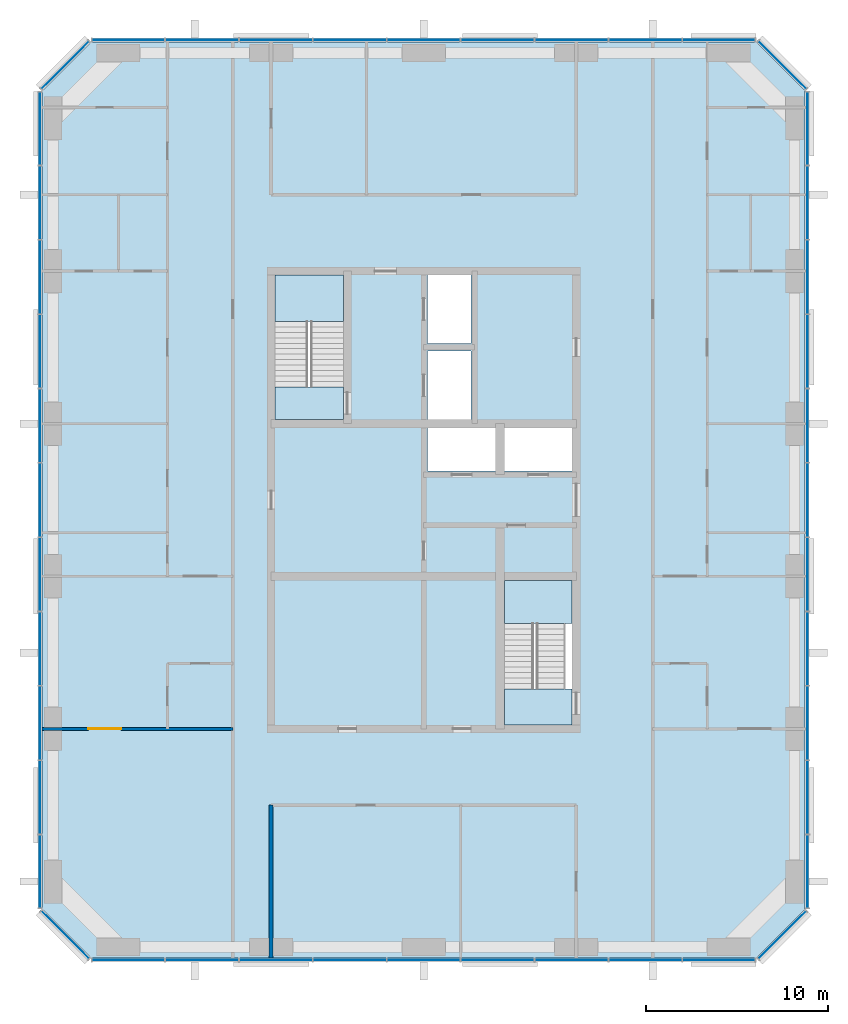
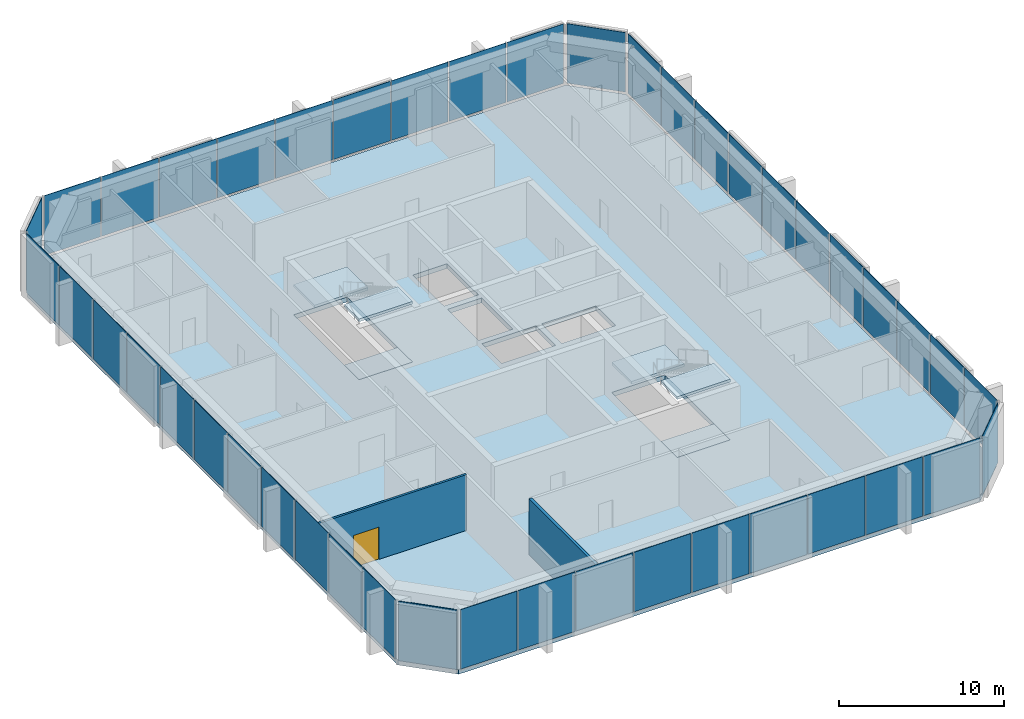
# One storey, part 6 of 10: 44 plates, 7 slabs, 2 walls, 1 door, 1 opening, 10 elements without a shape of their own.
"""IFC4 building model written with IfcOpenShell, lengths in metres."""

import ifcopenshell
import ifcopenshell.guid

model = None  # the IFC model being written
_history = None  # IfcOwnerHistory: only IFC2X3 demands one
_inside = {}  # id of a spatial element -> (the spatial element, [elements in it])
_under = {}  # id of a project, library or spatial element -> (it, [spatial elements below it])
_declared = {}  # id of a project -> (the project, [libraries it declares])
_typed = {}  # id of a type object -> (the type object, [elements of that type])
_made_of = {}  # id of a material, layer set ... -> (it, [elements and type objects made of it])


def new_model(schema):
    """Start an empty IFC model of exactly this schema.

    Asked for "IFC4X3", IfcOpenShell would pick the latest addendum, in which some entities
    have other attributes; the version numbers below select the first issue.
    IFC2X3 requires an IfcOwnerHistory on every rooted entity: one is made here for all.
    """
    global model, _history
    if schema == "IFC4X3":
        model = ifcopenshell.file(schema_version=(4, 3, 0, 0))
    else:
        model = ifcopenshell.file(schema=schema)
    _inside.clear()
    _under.clear()
    _declared.clear()
    _typed.clear()
    _made_of.clear()
    _history = None
    if model.schema == "IFC2X3":
        org = make("IfcOrganization", Name="unknown")
        user = make(
            "IfcPersonAndOrganization",
            ThePerson=make("IfcPerson", FamilyName="unknown"),
            TheOrganization=org,
        )
        app = make(
            "IfcApplication",
            ApplicationDeveloper=org,
            Version="unknown",
            ApplicationFullName="unknown",
            ApplicationIdentifier="unknown",
        )
        _history = make(
            "IfcOwnerHistory",
            OwningUser=user,
            OwningApplication=app,
            ChangeAction="ADDED",
            CreationDate=0,
        )
    return model


def make(cls, **values):
    """One entity of the class cls with the attributes given. An attribute that is None is left unset."""
    return model.create_entity(
        cls, **{name: value for name, value in values.items() if value is not None}
    )


def rooted(cls, **values):
    """An entity with a GlobalId (a new one), such as an element, a storey or a relation."""
    return make(cls, GlobalId=ifcopenshell.guid.new(), OwnerHistory=_history, **values)


def si_unit(unit_type, name, prefix=None):
    """IfcSIUnit, for example si_unit("LENGTHUNIT", "METRE", prefix="MILLI")."""
    return make("IfcSIUnit", UnitType=unit_type, Prefix=prefix, Name=name)


def assignment(units):
    """IfcUnitAssignment: the units of a project."""
    return None if units is None else make("IfcUnitAssignment", Units=units)


def point(xyz):
    """IfcCartesianPoint."""
    return None if xyz is None else make("IfcCartesianPoint", Coordinates=xyz)


def direction(xyz):
    """IfcDirection."""
    return None if xyz is None else make("IfcDirection", DirectionRatios=xyz)


def frame(location, z_axis=None, x_axis=None):
    """IfcAxis2Placement3D, a coordinate frame: its origin and axes. An axis left out is left unset."""
    return make(
        "IfcAxis2Placement3D",
        Location=point(location),
        Axis=direction(z_axis),
        RefDirection=direction(x_axis),
    )


def frame_2d(location, x_axis=None):
    """IfcAxis2Placement2D, a coordinate frame in the plane: its origin and x axis."""
    return make(
        "IfcAxis2Placement2D", Location=point(location), RefDirection=direction(x_axis)
    )


def origin():
    """The frame at (0, 0, 0) with its axes left unset."""
    return frame((0.0, 0.0, 0.0))


def origin_2d():
    """The frame at (0, 0) in the plane with its x axis left unset."""
    return frame_2d((0.0, 0.0))


def place(relative_to, where):
    """IfcLocalPlacement: puts the frame where relative to a parent placement (None: the world)."""
    return make(
        "IfcLocalPlacement", PlacementRelTo=relative_to, RelativePlacement=where
    )


def context(
    kind, dimensions, precision=None, world=None, true_north=None, identifier=None
):
    """IfcGeometricRepresentationContext, for example the 3D "Model" context."""
    return make(
        "IfcGeometricRepresentationContext",
        ContextIdentifier=identifier,
        ContextType=kind,
        CoordinateSpaceDimension=dimensions,
        Precision=precision,
        WorldCoordinateSystem=world,
        TrueNorth=true_north,
    )


def subcontext(parent, identifier, kind, view, scale=None):
    """IfcGeometricRepresentationSubContext, for example "Body" below "Model"."""
    return make(
        "IfcGeometricRepresentationSubContext",
        ContextIdentifier=identifier,
        ContextType=kind,
        ParentContext=parent,
        TargetScale=scale,
        TargetView=view,
    )


def project(units=None, contexts=None):
    """IfcProject with its units and contexts."""
    return rooted(
        "IfcProject",
        Name="project",
        RepresentationContexts=contexts,
        UnitsInContext=assignment(units),
    )


def spatial(cls, under=None, at=None, **own):
    """A site, building, storey or space (cls), placed at a placement, below another one or the project."""
    s = rooted(cls, ObjectPlacement=at, **own)
    if under is not None:
        _under.setdefault(under.id(), (under, []))[1].append(s)
    return s


def polyline(points):
    """IfcPolyline through the points."""
    return make("IfcPolyline", Points=[point(p) for p in points])


def profile(cls, at=None, kind="AREA", **sizes):
    """A parametric profile (cls). Its sizes go by their IFC names, for example OverallWidth=200.0."""
    return make(cls, ProfileType=kind, Position=at, **sizes)


def rectangle(**sizes):
    """IfcRectangleProfileDef."""
    return profile("IfcRectangleProfileDef", **sizes)


def outline(outer, holes=None, kind="AREA"):
    """IfcArbitraryClosedProfileDef: a profile drawn as a closed curve; with holes, ...WithVoids."""
    if holes is None:
        return make("IfcArbitraryClosedProfileDef", ProfileType=kind, OuterCurve=outer)
    return make(
        "IfcArbitraryProfileDefWithVoids",
        ProfileType=kind,
        OuterCurve=outer,
        InnerCurves=holes,
    )


def extrude(swept, where, along, depth):
    """IfcExtrudedAreaSolid: the profile swept, set in the frame where, extruded along a direction by depth."""
    return make(
        "IfcExtrudedAreaSolid",
        SweptArea=swept,
        Position=where,
        ExtrudedDirection=direction(along),
        Depth=depth,
    )


def shape(context_of_items, identifier, shape_type, items):
    """IfcShapeRepresentation: the items that make up one representation, for example the "Body"."""
    return make(
        "IfcShapeRepresentation",
        ContextOfItems=context_of_items,
        RepresentationIdentifier=identifier,
        RepresentationType=shape_type,
        Items=items,
    )


def material(Name=None, Category=None):
    """IfcMaterial."""
    return make("IfcMaterial", Name=Name, Category=Category)


def layer(
    of_material, thickness, ventilated=None, Name=None, Category=None, Priority=None
):
    """IfcMaterialLayer: one layer of a wall or slab, of a material (None: an air gap)."""
    return make(
        "IfcMaterialLayer",
        Material=of_material,
        LayerThickness=thickness,
        IsVentilated=ventilated,
        Name=Name,
        Category=Category,
        Priority=Priority,
    )


def layer_set(layers, Name=None):
    """IfcMaterialLayerSet."""
    return make("IfcMaterialLayerSet", MaterialLayers=layers, LayerSetName=Name)


def made_of(thing, what):
    """Note that an element or type object is made of a material, layer set ...; save() writes the relation."""
    if what is not None:
        _made_of.setdefault(what.id(), (what, []))[1].append(thing)
    return thing


def type_object(cls, material=None, **own):
    """A type object (cls), such as IfcWallType, which elements share."""
    return made_of(rooted(cls, **own), material)


def element(
    cls,
    number,
    at=None,
    inside=None,
    cuts=None,
    type_object=None,
    material=None,
    context=None,
    identifier="Body",
    shape_type=None,
    held_by="IfcProductDefinitionShape",
    body=None,
    shapes=None,
    **own,
):
    """One element of the class cls, such as IfcWall. Its Tag is "e" and its number.

    at: its placement. inside: the storey or other place that contains it. cuts: it is an
    opening in that element (IfcRelVoidsElement). A single representation is given by context,
    identifier, shape_type and body (its items); several are given by shapes. held_by: the class
    of the entity that holds the representations. save() writes the other relations.
    """
    e = rooted(cls, Tag="e%d" % number, ObjectPlacement=at, **own)
    if body is not None:
        shapes = [shape(context, identifier, shape_type, body)]
    if shapes is not None:
        e.Representation = make(held_by, Representations=shapes)
    if inside is not None:
        _inside.setdefault(inside.id(), (inside, []))[1].append(e)
    if cuts is not None:
        rooted(
            "IfcRelVoidsElement", RelatingBuildingElement=cuts, RelatedOpeningElement=e
        )
    if type_object is not None:
        _typed.setdefault(type_object.id(), (type_object, []))[1].append(e)
    return made_of(e, material)


def fill(opening, filler):
    """IfcRelFillsElement: the door or window that sits in an opening."""
    return rooted(
        "IfcRelFillsElement",
        RelatingOpeningElement=opening,
        RelatedBuildingElement=filler,
    )


def aggregate(whole, parts):
    """IfcRelAggregates: a whole, such as a stair, and the parts it consists of."""
    return rooted("IfcRelAggregates", RelatingObject=whole, RelatedObjects=parts)


def save(model, path):
    """Write the relations noted so far, then the file.

    IfcRelAggregates (storeys below a building ...), IfcRelContainedInSpatialStructure (elements
    in a storey), IfcRelDefinesByType, IfcRelAssociatesMaterial and IfcRelDeclares: one each for
    every whole, place, type object, material and project.
    """
    for whole, parts in _under.values():
        aggregate(whole, parts)
    for where, things in _inside.values():
        rooted(
            "IfcRelContainedInSpatialStructure",
            RelatedElements=things,
            RelatingStructure=where,
        )
    for kind, things in _typed.values():
        rooted("IfcRelDefinesByType", RelatedObjects=things, RelatingType=kind)
    for what, things in _made_of.values():
        rooted("IfcRelAssociatesMaterial", RelatedObjects=things, RelatingMaterial=what)
    for by, libraries in _declared.values():
        rooted("IfcRelDeclares", RelatingContext=by, RelatedDefinitions=libraries)
    model.write(path)


model = new_model("IFC4")

# Units and contexts
model_context = context("Model", 3, precision=1e-05, world=origin(), true_north=direction((0.0, 1.0)))
body_context = subcontext(model_context, "Body", "Model", "MODEL_VIEW")
ifc_project = project(units=[si_unit("LENGTHUNIT", "METRE"), si_unit("AREAUNIT", "SQUARE_METRE"), si_unit("VOLUMEUNIT", "CUBIC_METRE"), si_unit("PLANEANGLEUNIT", "RADIAN"), si_unit("MASSUNIT", "GRAM", prefix="KILO")], contexts=[model_context])

# Site, building, storey
site_placement = place(None, origin())
site = spatial("IfcSite", under=ifc_project, at=site_placement, CompositionType="ELEMENT")
building_placement = place(site_placement, origin())
building = spatial("IfcBuilding", under=site, at=building_placement, Name="Dunama Terrace Hotel", CompositionType="ELEMENT")
storey_placement = place(building_placement, frame((0.0, 0.0, 289.10009765625)))
storey = spatial("IfcBuildingStorey", under=building, at=storey_placement, Name="L74", CompositionType="ELEMENT", Elevation=289.10009765625)

# Curtain wall, plates
ifc_material_1 = material(Name="Aluminium curtain wall system", Category="aluminium")
curtain_wall_type = type_object("IfcCurtainWallType", Name="Unitised fritted glass wall CW-D", PredefinedType="NOTDEFINED", material=ifc_material_1)
curtain_wall_1_placement = place(storey_placement, origin())
curtain_wall_1 = element("IfcCurtainWall", 1, at=curtain_wall_1_placement, inside=storey, type_object=curtain_wall_type, Name="Unitised fritted glass wall CW-D L74", PredefinedType="NOTDEFINED")
ifc_material_2 = material(Name="Laminated glass", Category="glass")
ifc_layer_1 = layer(ifc_material_2, 0.035888671875)
ifc_layer_set_1 = layer_set([ifc_layer_1], Name="CWD clear glass panel")
plate_type_1 = type_object("IfcPlateType", Name="CWD clear glass panel", PredefinedType="CURTAIN_PANEL", material=ifc_layer_set_1)
plate_1_placement = place(storey_placement, frame((17.35107421875, 4.080078125, 0.0849609375), z_axis=(0.0, 0.0, 1.0), x_axis=(1.0, 0.0, 0.0)))
plate_1 = element("IfcPlate", 2, at=plate_1_placement, type_object=plate_type_1, Name="CWD clear glass panel", PredefinedType="CURTAIN_PANEL", context=body_context, shape_type="SweptSolid", body=[
    extrude(rectangle(XDim=3.961669921875, YDim=0.035888671875, at=origin_2d()), origin(), (0.0, 0.0, 1.0), 4.4150390625),
])
plate_2_placement = place(storey_placement, frame((29.532958984375, 4.080078125, 0.0849609375), z_axis=(0.0, 0.0, 1.0), x_axis=(1.0, 0.0, 0.0)))
plate_2 = element("IfcPlate", 3, at=plate_2_placement, type_object=plate_type_1, Name="CWD clear glass panel", PredefinedType="CURTAIN_PANEL", context=body_context, shape_type="SweptSolid", body=[
    extrude(rectangle(XDim=3.99658203125, YDim=0.035888671875, at=origin_2d()), origin(), (0.0, 0.0, 1.0), 4.4150390625),
])
plate_3_placement = place(storey_placement, frame((41.73291015625, 4.080078125, 0.0849609375), z_axis=(0.0, 0.0, 1.0), x_axis=(1.0, 0.0, 0.0)))
plate_3 = element("IfcPlate", 4, at=plate_3_placement, type_object=plate_type_1, Name="CWD clear glass panel", PredefinedType="CURTAIN_PANEL", context=body_context, shape_type="SweptSolid", body=[
    extrude(rectangle(XDim=3.99658203125, YDim=0.035888671875, at=origin_2d()), origin(), (0.0, 0.0, 1.0), 4.4150390625),
])

# Curtain wall, plate
curtain_wall_2_placement = place(storey_placement, origin())
curtain_wall_2 = element("IfcCurtainWall", 5, at=curtain_wall_2_placement, inside=storey, type_object=curtain_wall_type, Name="Unitised fritted glass wall CW-D L74", PredefinedType="NOTDEFINED")
plate_4_placement = place(storey_placement, frame((53.3349609375, 5.465087890625, 0.0849609375), z_axis=(0.0, 0.0, 1.0), x_axis=(0.707106781187, 0.707106781187, 0.0)))
plate_4 = element("IfcPlate", 6, at=plate_4_placement, type_object=plate_type_1, Name="CWD clear glass panel", PredefinedType="CURTAIN_PANEL", context=body_context, shape_type="SweptSolid", body=[
    extrude(rectangle(XDim=3.678466796875, YDim=0.035888671875, at=origin_2d()), origin(), (0.0, 0.0, 1.0), 4.4150390625),
])
aggregate(curtain_wall_2, [plate_4])

# Curtain wall, plates
curtain_wall_3_placement = place(storey_placement, origin())
curtain_wall_3 = element("IfcCurtainWall", 7, at=curtain_wall_3_placement, inside=storey, type_object=curtain_wall_type, Name="Unitised fritted glass wall CW-D L74", PredefinedType="NOTDEFINED")
plate_5_placement = place(storey_placement, frame((54.719970703125, 17.126953125, 0.0849609375), z_axis=(0.0, 0.0, 1.0), x_axis=(0.0, 1.0, 0.0)))
plate_5 = element("IfcPlate", 8, at=plate_5_placement, type_object=plate_type_1, Name="CWD clear glass panel", PredefinedType="CURTAIN_PANEL", context=body_context, shape_type="SweptSolid", body=[
    extrude(rectangle(XDim=4.02099609375, YDim=0.035888671875, at=origin_2d()), origin(), (0.0, 0.0, 1.0), 4.4150390625),
])
plate_6_placement = place(storey_placement, frame((54.719970703125, 29.39990234375, 0.0849609375), z_axis=(0.0, 0.0, 1.0), x_axis=(0.0, 1.0, 0.0)))
plate_6 = element("IfcPlate", 9, at=plate_6_placement, type_object=plate_type_1, Name="CWD clear glass panel", PredefinedType="CURTAIN_PANEL", context=body_context, shape_type="SweptSolid", body=[
    extrude(rectangle(XDim=4.02099609375, YDim=0.035888671875, at=origin_2d()), origin(), (0.0, 0.0, 1.0), 4.4150390625),
])
plate_7_placement = place(storey_placement, frame((54.719970703125, 41.673095703125, 0.0849609375), z_axis=(0.0, 0.0, 1.0), x_axis=(0.0, 1.0, 0.0)))
plate_7 = element("IfcPlate", 10, at=plate_7_placement, type_object=plate_type_1, Name="CWD clear glass panel", PredefinedType="CURTAIN_PANEL", context=body_context, shape_type="SweptSolid", body=[
    extrude(rectangle(XDim=4.02099609375, YDim=0.035888671875, at=origin_2d()), origin(), (0.0, 0.0, 1.0), 4.4150390625),
])

# Curtain wall, plate
curtain_wall_4_placement = place(storey_placement, origin())
curtain_wall_4 = element("IfcCurtainWall", 11, at=curtain_wall_4_placement, inside=storey, type_object=curtain_wall_type, Name="Unitised fritted glass wall CW-D L74", PredefinedType="NOTDEFINED")
plate_8_placement = place(storey_placement, frame((53.3349609375, 53.3349609375, 0.0849609375), z_axis=(0.0, 0.0, 1.0), x_axis=(-0.707106781187, 0.707106781187, 0.0)))
plate_8 = element("IfcPlate", 12, at=plate_8_placement, type_object=plate_type_1, Name="CWD clear glass panel", PredefinedType="CURTAIN_PANEL", context=body_context, shape_type="SweptSolid", body=[
    extrude(rectangle(XDim=3.678466796875, YDim=0.035888671875, at=origin_2d()), origin(), (0.0, 0.0, 1.0), 4.4150390625),
])
aggregate(curtain_wall_4, [plate_8])

# Curtain wall, plates
curtain_wall_5_placement = place(storey_placement, origin())
curtain_wall_5 = element("IfcCurtainWall", 13, at=curtain_wall_5_placement, inside=storey, type_object=curtain_wall_type, Name="Unitised fritted glass wall CW-D L74", PredefinedType="NOTDEFINED")
plate_9_placement = place(storey_placement, frame((41.73291015625, 54.719970703125, 0.0849609375), z_axis=(0.0, 0.0, 1.0), x_axis=(-1.0, 0.0, 0.0)))
plate_9 = element("IfcPlate", 14, at=plate_9_placement, type_object=plate_type_1, Name="CWD clear glass panel", PredefinedType="CURTAIN_PANEL", context=body_context, shape_type="SweptSolid", body=[
    extrude(rectangle(XDim=3.99658203125, YDim=0.035888671875, at=origin_2d()), origin(), (0.0, 0.0, 1.0), 4.4150390625),
])
plate_10_placement = place(storey_placement, frame((29.532958984375, 54.719970703125, 0.0849609375), z_axis=(0.0, 0.0, 1.0), x_axis=(-1.0, 0.0, 0.0)))
plate_10 = element("IfcPlate", 15, at=plate_10_placement, type_object=plate_type_1, Name="CWD clear glass panel", PredefinedType="CURTAIN_PANEL", context=body_context, shape_type="SweptSolid", body=[
    extrude(rectangle(XDim=3.99658203125, YDim=0.035888671875, at=origin_2d()), origin(), (0.0, 0.0, 1.0), 4.4150390625),
])
plate_11_placement = place(storey_placement, frame((17.35107421875, 54.719970703125, 0.0849609375), z_axis=(0.0, 0.0, 1.0), x_axis=(-1.0, 0.0, 0.0)))
plate_11 = element("IfcPlate", 16, at=plate_11_placement, type_object=plate_type_1, Name="CWD clear glass panel", PredefinedType="CURTAIN_PANEL", context=body_context, shape_type="SweptSolid", body=[
    extrude(rectangle(XDim=3.961669921875, YDim=0.035888671875, at=origin_2d()), origin(), (0.0, 0.0, 1.0), 4.4150390625),
])

curtain_wall_6_placement = place(storey_placement, origin())
curtain_wall_6 = element("IfcCurtainWall", 17, at=curtain_wall_6_placement, inside=storey, type_object=curtain_wall_type, Name="Unitised fritted glass wall CW-D L74", PredefinedType="NOTDEFINED")
plate_12_placement = place(storey_placement, frame((12.47998046875, 45.763916015625, 0.0849609375), z_axis=(0.0, 0.0, 1.0), x_axis=(0.0, -1.0, 0.0)))
plate_12 = element("IfcPlate", 18, at=plate_12_placement, type_object=plate_type_1, Name="CWD clear glass panel", PredefinedType="CURTAIN_PANEL", context=body_context, shape_type="SweptSolid", body=[
    extrude(rectangle(XDim=4.02099609375, YDim=0.035888671875, at=origin_2d()), origin(), (0.0, 0.0, 1.0), 4.4150390625),
])
plate_13_placement = place(storey_placement, frame((12.47998046875, 33.490966796875, 0.0849609375), z_axis=(0.0, 0.0, 1.0), x_axis=(0.0, -1.0, 0.0)))
plate_13 = element("IfcPlate", 19, at=plate_13_placement, type_object=plate_type_1, Name="CWD clear glass panel", PredefinedType="CURTAIN_PANEL", context=body_context, shape_type="SweptSolid", body=[
    extrude(rectangle(XDim=4.02099609375, YDim=0.035888671875, at=origin_2d()), origin(), (0.0, 0.0, 1.0), 4.4150390625),
])
plate_14_placement = place(storey_placement, frame((12.47998046875, 21.218017578125, 0.0849609375), z_axis=(0.0, 0.0, 1.0), x_axis=(0.0, -1.0, 0.0)))
plate_14 = element("IfcPlate", 20, at=plate_14_placement, type_object=plate_type_1, Name="CWD clear glass panel", PredefinedType="CURTAIN_PANEL", context=body_context, shape_type="SweptSolid", body=[
    extrude(rectangle(XDim=4.02099609375, YDim=0.035888671875, at=origin_2d()), origin(), (0.0, 0.0, 1.0), 4.4150390625),
])
plate_15_placement = place(storey_placement, frame((12.47998046875, 8.962890625, 0.0849609375), z_axis=(0.0, 0.0, 1.0), x_axis=(0.0, -1.0, 0.0)))
plate_15 = element("IfcPlate", 21, at=plate_15_placement, type_object=plate_type_1, Name="CWD clear glass panel", PredefinedType="CURTAIN_PANEL", context=body_context, shape_type="SweptSolid", body=[
    extrude(rectangle(XDim=3.98583984375, YDim=0.035888671875, at=origin_2d()), origin(), (0.0, 0.0, 1.0), 4.4150390625),
])

# Plate
ifc_material_3 = material(Name="Fritted laminated glass", Category="glass")
ifc_layer_2 = layer(ifc_material_3, 0.035888671875)
ifc_layer_set_2 = layer_set([ifc_layer_2], Name="CWD fritted glass panel")
plate_type_2 = type_object("IfcPlateType", Name="CWD fritted glass panel", PredefinedType="CURTAIN_PANEL", material=ifc_layer_set_2)
plate_16_placement = place(storey_placement, frame((25.467041015625, 4.080078125, 0.0849609375), z_axis=(0.0, 0.0, 1.0), x_axis=(1.0, 0.0, 0.0)))
plate_16 = element("IfcPlate", 22, at=plate_16_placement, type_object=plate_type_2, Name="CWD fritted glass panel", PredefinedType="CURTAIN_PANEL", context=body_context, shape_type="SweptSolid", body=[
    extrude(rectangle(XDim=3.99658203125, YDim=0.035888671875, at=origin_2d()), origin(), (0.0, 0.0, 1.0), 4.4150390625),
])

plate_17_placement = place(storey_placement, frame((37.6669921875, 4.080078125, 0.0849609375), z_axis=(0.0, 0.0, 1.0), x_axis=(1.0, 0.0, 0.0)))
plate_17 = element("IfcPlate", 23, at=plate_17_placement, type_object=plate_type_2, Name="CWD fritted glass panel", PredefinedType="CURTAIN_PANEL", context=body_context, shape_type="SweptSolid", body=[
    extrude(rectangle(XDim=3.99658203125, YDim=0.035888671875, at=origin_2d()), origin(), (0.0, 0.0, 1.0), 4.4150390625),
])

plate_18_placement = place(storey_placement, frame((49.84912109375, 4.080078125, 0.0849609375), z_axis=(0.0, 0.0, 1.0), x_axis=(1.0, 0.0, 0.0)))
plate_18 = element("IfcPlate", 24, at=plate_18_placement, type_object=plate_type_2, Name="CWD fritted glass panel", PredefinedType="CURTAIN_PANEL", context=body_context, shape_type="SweptSolid", body=[
    extrude(rectangle(XDim=3.961669921875, YDim=0.035888671875, at=origin_2d()), origin(), (0.0, 0.0, 1.0), 4.4150390625),
])

plate_19_placement = place(storey_placement, frame((54.719970703125, 13.035888671875, 0.0849609375), z_axis=(0.0, 0.0, 1.0), x_axis=(0.0, 1.0, 0.0)))
plate_19 = element("IfcPlate", 25, at=plate_19_placement, type_object=plate_type_2, Name="CWD fritted glass panel", PredefinedType="CURTAIN_PANEL", context=body_context, shape_type="SweptSolid", body=[
    extrude(rectangle(XDim=4.02099609375, YDim=0.035888671875, at=origin_2d()), origin(), (0.0, 0.0, 1.0), 4.4150390625),
])

plate_20_placement = place(storey_placement, frame((54.719970703125, 25.30908203125, 0.0849609375), z_axis=(0.0, 0.0, 1.0), x_axis=(0.0, 1.0, 0.0)))
plate_20 = element("IfcPlate", 26, at=plate_20_placement, type_object=plate_type_2, Name="CWD fritted glass panel", PredefinedType="CURTAIN_PANEL", context=body_context, shape_type="SweptSolid", body=[
    extrude(rectangle(XDim=4.02099609375, YDim=0.035888671875, at=origin_2d()), origin(), (0.0, 0.0, 1.0), 4.4150390625),
])

plate_21_placement = place(storey_placement, frame((54.719970703125, 37.58203125, 0.0849609375), z_axis=(0.0, 0.0, 1.0), x_axis=(0.0, 1.0, 0.0)))
plate_21 = element("IfcPlate", 27, at=plate_21_placement, type_object=plate_type_2, Name="CWD fritted glass panel", PredefinedType="CURTAIN_PANEL", context=body_context, shape_type="SweptSolid", body=[
    extrude(rectangle(XDim=4.02099609375, YDim=0.035888671875, at=origin_2d()), origin(), (0.0, 0.0, 1.0), 4.4150390625),
])

plate_22_placement = place(storey_placement, frame((54.719970703125, 49.8369140625, 0.0849609375), z_axis=(0.0, 0.0, 1.0), x_axis=(0.0, 1.0, 0.0)))
plate_22 = element("IfcPlate", 28, at=plate_22_placement, type_object=plate_type_2, Name="CWD fritted glass panel", PredefinedType="CURTAIN_PANEL", context=body_context, shape_type="SweptSolid", body=[
    extrude(rectangle(XDim=3.98583984375, YDim=0.035888671875, at=origin_2d()), origin(), (0.0, 0.0, 1.0), 4.4150390625),
])

plate_23_placement = place(storey_placement, frame((45.800048828125, 54.719970703125, 0.0849609375), z_axis=(0.0, 0.0, 1.0), x_axis=(-1.0, 0.0, 0.0)))
plate_23 = element("IfcPlate", 29, at=plate_23_placement, type_object=plate_type_2, Name="CWD fritted glass panel", PredefinedType="CURTAIN_PANEL", context=body_context, shape_type="SweptSolid", body=[
    extrude(rectangle(XDim=3.99658203125, YDim=0.035888671875, at=origin_2d()), origin(), (0.0, 0.0, 1.0), 4.4150390625),
])

plate_24_placement = place(storey_placement, frame((33.60009765625, 54.719970703125, 0.0849609375), z_axis=(0.0, 0.0, 1.0), x_axis=(-1.0, 0.0, 0.0)))
plate_24 = element("IfcPlate", 30, at=plate_24_placement, type_object=plate_type_2, Name="CWD fritted glass panel", PredefinedType="CURTAIN_PANEL", context=body_context, shape_type="SweptSolid", body=[
    extrude(rectangle(XDim=3.99658203125, YDim=0.035888671875, at=origin_2d()), origin(), (0.0, 0.0, 1.0), 4.4150390625),
])

plate_25_placement = place(storey_placement, frame((21.39990234375, 54.719970703125, 0.0849609375), z_axis=(0.0, 0.0, 1.0), x_axis=(-1.0, 0.0, 0.0)))
plate_25 = element("IfcPlate", 31, at=plate_25_placement, type_object=plate_type_2, Name="CWD fritted glass panel", PredefinedType="CURTAIN_PANEL", context=body_context, shape_type="SweptSolid", body=[
    extrude(rectangle(XDim=3.99658203125, YDim=0.035888671875, at=origin_2d()), origin(), (0.0, 0.0, 1.0), 4.4150390625),
])

plate_26_placement = place(storey_placement, frame((12.47998046875, 49.8369140625, 0.0849609375), z_axis=(0.0, 0.0, 1.0), x_axis=(0.0, -1.0, 0.0)))
plate_26 = element("IfcPlate", 32, at=plate_26_placement, type_object=plate_type_2, Name="CWD fritted glass panel", PredefinedType="CURTAIN_PANEL", context=body_context, shape_type="SweptSolid", body=[
    extrude(rectangle(XDim=3.98583984375, YDim=0.035888671875, at=origin_2d()), origin(), (0.0, 0.0, 1.0), 4.4150390625),
])

plate_27_placement = place(storey_placement, frame((12.47998046875, 37.58203125, 0.0849609375), z_axis=(0.0, 0.0, 1.0), x_axis=(0.0, -1.0, 0.0)))
plate_27 = element("IfcPlate", 33, at=plate_27_placement, type_object=plate_type_2, Name="CWD fritted glass panel", PredefinedType="CURTAIN_PANEL", context=body_context, shape_type="SweptSolid", body=[
    extrude(rectangle(XDim=4.02099609375, YDim=0.035888671875, at=origin_2d()), origin(), (0.0, 0.0, 1.0), 4.4150390625),
])

plate_28_placement = place(storey_placement, frame((12.47998046875, 25.30908203125, 0.0849609375), z_axis=(0.0, 0.0, 1.0), x_axis=(0.0, -1.0, 0.0)))
plate_28 = element("IfcPlate", 34, at=plate_28_placement, type_object=plate_type_2, Name="CWD fritted glass panel", PredefinedType="CURTAIN_PANEL", context=body_context, shape_type="SweptSolid", body=[
    extrude(rectangle(XDim=4.02099609375, YDim=0.035888671875, at=origin_2d()), origin(), (0.0, 0.0, 1.0), 4.4150390625),
])

plate_29_placement = place(storey_placement, frame((12.47998046875, 13.035888671875, 0.0849609375), z_axis=(0.0, 0.0, 1.0), x_axis=(0.0, -1.0, 0.0)))
plate_29 = element("IfcPlate", 35, at=plate_29_placement, type_object=plate_type_2, Name="CWD fritted glass panel", PredefinedType="CURTAIN_PANEL", context=body_context, shape_type="SweptSolid", body=[
    extrude(rectangle(XDim=4.02099609375, YDim=0.035888671875, at=origin_2d()), origin(), (0.0, 0.0, 1.0), 4.4150390625),
])

ifc_material_4 = material(Name="Laminated glass", Category="glass")
ifc_layer_3 = layer(ifc_material_4, 0.035888671875)
ifc_layer_set_3 = layer_set([ifc_layer_3], Name="CWD operable glass panel")
plate_type_3 = type_object("IfcPlateType", Name="CWD operable glass panel", PredefinedType="CURTAIN_PANEL", material=ifc_layer_set_3)
plate_30_placement = place(storey_placement, frame((21.39990234375, 4.080078125, 0.0849609375), z_axis=(0.0, 0.0, 1.0), x_axis=(1.0, 0.0, 0.0)))
plate_30 = element("IfcPlate", 36, at=plate_30_placement, type_object=plate_type_3, Name="CWD operable glass panel", PredefinedType="CURTAIN_PANEL", context=body_context, shape_type="SweptSolid", body=[
    extrude(rectangle(XDim=3.99658203125, YDim=0.035888671875, at=origin_2d()), origin(), (0.0, 0.0, 1.0), 4.4150390625),
])

plate_31_placement = place(storey_placement, frame((33.60009765625, 4.080078125, 0.0849609375), z_axis=(0.0, 0.0, 1.0), x_axis=(1.0, 0.0, 0.0)))
plate_31 = element("IfcPlate", 37, at=plate_31_placement, type_object=plate_type_3, Name="CWD operable glass panel", PredefinedType="CURTAIN_PANEL", context=body_context, shape_type="SweptSolid", body=[
    extrude(rectangle(XDim=3.99658203125, YDim=0.035888671875, at=origin_2d()), origin(), (0.0, 0.0, 1.0), 4.4150390625),
])

plate_32_placement = place(storey_placement, frame((45.800048828125, 4.080078125, 0.0849609375), z_axis=(0.0, 0.0, 1.0), x_axis=(1.0, 0.0, 0.0)))
plate_32 = element("IfcPlate", 38, at=plate_32_placement, type_object=plate_type_3, Name="CWD operable glass panel", PredefinedType="CURTAIN_PANEL", context=body_context, shape_type="SweptSolid", body=[
    extrude(rectangle(XDim=3.99658203125, YDim=0.035888671875, at=origin_2d()), origin(), (0.0, 0.0, 1.0), 4.4150390625),
])

aggregate(curtain_wall_1, [plate_1, plate_30, plate_16, plate_2, plate_31, plate_17, plate_3, plate_32, plate_18])

plate_33_placement = place(storey_placement, frame((54.719970703125, 8.962890625, 0.0849609375), z_axis=(0.0, 0.0, 1.0), x_axis=(0.0, 1.0, 0.0)))
plate_33 = element("IfcPlate", 39, at=plate_33_placement, type_object=plate_type_3, Name="CWD operable glass panel", PredefinedType="CURTAIN_PANEL", context=body_context, shape_type="SweptSolid", body=[
    extrude(rectangle(XDim=3.98583984375, YDim=0.035888671875, at=origin_2d()), origin(), (0.0, 0.0, 1.0), 4.4150390625),
])

plate_34_placement = place(storey_placement, frame((54.719970703125, 21.218017578125, 0.0849609375), z_axis=(0.0, 0.0, 1.0), x_axis=(0.0, 1.0, 0.0)))
plate_34 = element("IfcPlate", 40, at=plate_34_placement, type_object=plate_type_3, Name="CWD operable glass panel", PredefinedType="CURTAIN_PANEL", context=body_context, shape_type="SweptSolid", body=[
    extrude(rectangle(XDim=4.02099609375, YDim=0.035888671875, at=origin_2d()), origin(), (0.0, 0.0, 1.0), 4.4150390625),
])

plate_35_placement = place(storey_placement, frame((54.719970703125, 33.490966796875, 0.0849609375), z_axis=(0.0, 0.0, 1.0), x_axis=(0.0, 1.0, 0.0)))
plate_35 = element("IfcPlate", 41, at=plate_35_placement, type_object=plate_type_3, Name="CWD operable glass panel", PredefinedType="CURTAIN_PANEL", context=body_context, shape_type="SweptSolid", body=[
    extrude(rectangle(XDim=4.02099609375, YDim=0.035888671875, at=origin_2d()), origin(), (0.0, 0.0, 1.0), 4.4150390625),
])

plate_36_placement = place(storey_placement, frame((54.719970703125, 45.763916015625, 0.0849609375), z_axis=(0.0, 0.0, 1.0), x_axis=(0.0, 1.0, 0.0)))
plate_36 = element("IfcPlate", 42, at=plate_36_placement, type_object=plate_type_3, Name="CWD operable glass panel", PredefinedType="CURTAIN_PANEL", context=body_context, shape_type="SweptSolid", body=[
    extrude(rectangle(XDim=4.02099609375, YDim=0.035888671875, at=origin_2d()), origin(), (0.0, 0.0, 1.0), 4.4150390625),
])

aggregate(curtain_wall_3, [plate_33, plate_19, plate_5, plate_34, plate_20, plate_6, plate_35, plate_21, plate_7, plate_36, plate_22])

plate_37_placement = place(storey_placement, frame((49.84912109375, 54.719970703125, 0.0849609375), z_axis=(0.0, 0.0, 1.0), x_axis=(-1.0, 0.0, 0.0)))
plate_37 = element("IfcPlate", 43, at=plate_37_placement, type_object=plate_type_3, Name="CWD operable glass panel", PredefinedType="CURTAIN_PANEL", context=body_context, shape_type="SweptSolid", body=[
    extrude(rectangle(XDim=3.961669921875, YDim=0.035888671875, at=origin_2d()), origin(), (0.0, 0.0, 1.0), 4.4150390625),
])

plate_38_placement = place(storey_placement, frame((37.6669921875, 54.719970703125, 0.0849609375), z_axis=(0.0, 0.0, 1.0), x_axis=(-1.0, 0.0, 0.0)))
plate_38 = element("IfcPlate", 44, at=plate_38_placement, type_object=plate_type_3, Name="CWD operable glass panel", PredefinedType="CURTAIN_PANEL", context=body_context, shape_type="SweptSolid", body=[
    extrude(rectangle(XDim=3.99658203125, YDim=0.035888671875, at=origin_2d()), origin(), (0.0, 0.0, 1.0), 4.4150390625),
])

plate_39_placement = place(storey_placement, frame((25.467041015625, 54.719970703125, 0.0849609375), z_axis=(0.0, 0.0, 1.0), x_axis=(-1.0, 0.0, 0.0)))
plate_39 = element("IfcPlate", 45, at=plate_39_placement, type_object=plate_type_3, Name="CWD operable glass panel", PredefinedType="CURTAIN_PANEL", context=body_context, shape_type="SweptSolid", body=[
    extrude(rectangle(XDim=3.99658203125, YDim=0.035888671875, at=origin_2d()), origin(), (0.0, 0.0, 1.0), 4.4150390625),
])

aggregate(curtain_wall_5, [plate_37, plate_23, plate_9, plate_38, plate_24, plate_10, plate_39, plate_25, plate_11])

# Curtain wall, plate
curtain_wall_7_placement = place(storey_placement, origin())
curtain_wall_7 = element("IfcCurtainWall", 46, at=curtain_wall_7_placement, inside=storey, type_object=curtain_wall_type, Name="Unitised fritted glass wall CW-D L74", PredefinedType="NOTDEFINED")
plate_40_placement = place(storey_placement, frame((13.864990234375, 53.3349609375, 0.0849609375), z_axis=(0.0, 0.0, 1.0), x_axis=(-0.707106781187, -0.707106781187, 0.0)))
plate_40 = element("IfcPlate", 47, at=plate_40_placement, type_object=plate_type_3, Name="CWD operable glass panel", PredefinedType="CURTAIN_PANEL", context=body_context, shape_type="SweptSolid", body=[
    extrude(rectangle(XDim=3.678466796875, YDim=0.035888671875, at=origin_2d()), origin(), (0.0, 0.0, 1.0), 4.4150390625),
])
aggregate(curtain_wall_7, [plate_40])

# Plate
plate_41_placement = place(storey_placement, frame((12.47998046875, 41.673095703125, 0.0849609375), z_axis=(0.0, 0.0, 1.0), x_axis=(0.0, -1.0, 0.0)))
plate_41 = element("IfcPlate", 48, at=plate_41_placement, type_object=plate_type_3, Name="CWD operable glass panel", PredefinedType="CURTAIN_PANEL", context=body_context, shape_type="SweptSolid", body=[
    extrude(rectangle(XDim=4.02099609375, YDim=0.035888671875, at=origin_2d()), origin(), (0.0, 0.0, 1.0), 4.4150390625),
])

plate_42_placement = place(storey_placement, frame((12.47998046875, 29.39990234375, 0.0849609375), z_axis=(0.0, 0.0, 1.0), x_axis=(0.0, -1.0, 0.0)))
plate_42 = element("IfcPlate", 49, at=plate_42_placement, type_object=plate_type_3, Name="CWD operable glass panel", PredefinedType="CURTAIN_PANEL", context=body_context, shape_type="SweptSolid", body=[
    extrude(rectangle(XDim=4.02099609375, YDim=0.035888671875, at=origin_2d()), origin(), (0.0, 0.0, 1.0), 4.4150390625),
])

plate_43_placement = place(storey_placement, frame((12.47998046875, 17.126953125, 0.0849609375), z_axis=(0.0, 0.0, 1.0), x_axis=(0.0, -1.0, 0.0)))
plate_43 = element("IfcPlate", 50, at=plate_43_placement, type_object=plate_type_3, Name="CWD operable glass panel", PredefinedType="CURTAIN_PANEL", context=body_context, shape_type="SweptSolid", body=[
    extrude(rectangle(XDim=4.02099609375, YDim=0.035888671875, at=origin_2d()), origin(), (0.0, 0.0, 1.0), 4.4150390625),
])

aggregate(curtain_wall_6, [plate_26, plate_12, plate_41, plate_27, plate_13, plate_42, plate_28, plate_14, plate_43, plate_29, plate_15])

# Curtain wall, plate
curtain_wall_8_placement = place(storey_placement, origin())
curtain_wall_8 = element("IfcCurtainWall", 51, at=curtain_wall_8_placement, inside=storey, type_object=curtain_wall_type, Name="Unitised fritted glass wall CW-D L74", PredefinedType="NOTDEFINED")
plate_44_placement = place(storey_placement, frame((13.864990234375, 5.465087890625, 0.0849609375), z_axis=(0.0, 0.0, 1.0), x_axis=(0.707106781187, -0.707106781187, 0.0)))
plate_44 = element("IfcPlate", 52, at=plate_44_placement, type_object=plate_type_3, Name="CWD operable glass panel", PredefinedType="CURTAIN_PANEL", context=body_context, shape_type="SweptSolid", body=[
    extrude(rectangle(XDim=3.678466796875, YDim=0.035888671875, at=origin_2d()), origin(), (0.0, 0.0, 1.0), 4.4150390625),
])
aggregate(curtain_wall_8, [plate_44])

# Slab
ifc_material_5 = material(Name="Concrete C40/50", Category="concrete")
ifc_layer_4 = layer(ifc_material_5, 0.35009765625)
ifc_layer_set_4 = layer_set([ifc_layer_4], Name="Flat plate 350")
slab_type_1 = type_object("IfcSlabType", Name="Flat plate 350", PredefinedType="FLOOR", material=ifc_layer_set_4)
slab_1_placement = place(storey_placement, frame((0.0, 0.0, -0.35009765625)))
element("IfcSlab", 53, at=slab_1_placement, inside=storey, type_object=slab_type_1, Name="Floor slab L74", PredefinedType="FLOOR", context=body_context, shape_type="SweptSolid", body=[
    extrude(outline(polyline([(15.300048828125, 4.199951171875), (51.89990234375, 4.199951171875), (54.60009765625, 6.89990234375), (54.60009765625, 51.89990234375), (51.89990234375, 54.60009765625), (15.300048828125, 54.60009765625), (12.60009765625, 51.89990234375), (12.60009765625, 6.89990234375), (15.300048828125, 4.199951171875)]), holes=[polyline([(37.60009765625, 31.0), (37.60009765625, 33.39990234375), (33.800048828125, 33.39990234375), (33.800048828125, 31.0), (37.60009765625, 31.0)]), polyline([(41.800048828125, 31.0), (41.800048828125, 33.39990234375), (38.0, 33.39990234375), (38.0, 31.0), (41.800048828125, 31.0)]), polyline([(36.199951171875, 38.0), (36.199951171875, 41.800048828125), (33.800048828125, 41.800048828125), (33.800048828125, 38.0), (36.199951171875, 38.0)]), polyline([(36.199951171875, 33.800048828125), (36.199951171875, 37.60009765625), (33.800048828125, 37.60009765625), (33.800048828125, 33.800048828125), (36.199951171875, 33.800048828125)]), polyline([(29.175048828125, 33.824951171875), (29.175048828125, 41.77490234375), (25.425048828125, 41.77490234375), (25.425048828125, 33.824951171875), (29.175048828125, 33.824951171875)]), polyline([(41.77490234375, 17.02490234375), (41.77490234375, 24.97509765625), (38.050048828125, 24.97509765625), (38.050048828125, 17.02490234375), (41.77490234375, 17.02490234375)])]), origin(), (0.0, 0.0, 1.0), 0.35009765625),
])

# Stair, slabs
ifc_material_6 = material(Name="Concrete C40/50", Category="concrete")
stair_type_1 = type_object("IfcStairType", Name="Stair ST1-4500-1800", PredefinedType="HALF_TURN_STAIR", material=ifc_material_6)
stair_1_placement = place(storey_placement, origin())
stair_1 = element("IfcStair", 54, at=stair_1_placement, inside=storey, type_object=stair_type_1, Name="Stair ST1 L74", PredefinedType="HALF_TURN_STAIR")
ifc_material_7 = material(Name="Concrete C40/50", Category="concrete")
ifc_layer_5 = layer(ifc_material_7, 0.199951171875)
ifc_layer_set_5 = layer_set([ifc_layer_5], Name="Stair landing 200")
slab_type_2 = type_object("IfcSlabType", Name="Stair landing 200", PredefinedType="LANDING", material=ifc_layer_set_5)
slab_2_placement = place(storey_placement, frame((0.0, 0.0, -0.2001953125)))
slab_2 = element("IfcSlab", 55, at=slab_2_placement, type_object=slab_type_2, Name="ST1 landing 1, type S10", PredefinedType="LANDING", context=body_context, shape_type="SweptSolid", body=[
    extrude(outline(polyline([(25.425048828125, 33.824951171875), (29.175048828125, 33.824951171875), (29.175048828125, 35.625), (25.425048828125, 35.625), (25.425048828125, 33.824951171875)])), origin(), (0.0, 0.0, 1.0), 0.2001953125),
])
slab_3_placement = place(storey_placement, frame((0.0, 0.0, 2.0498046875)))
slab_3 = element("IfcSlab", 56, at=slab_3_placement, type_object=slab_type_2, Name="ST1 landing 2, type S10", PredefinedType="LANDING", context=body_context, shape_type="SweptSolid", body=[
    extrude(outline(polyline([(25.425048828125, 39.22509765625), (29.175048828125, 39.22509765625), (29.175048828125, 41.77490234375), (25.425048828125, 41.77490234375), (25.425048828125, 39.22509765625)])), origin(), (0.0, 0.0, 1.0), 0.2001953125),
])
slab_4_placement = place(storey_placement, frame((0.0, 0.0, 4.2998046875)))
slab_4 = element("IfcSlab", 57, at=slab_4_placement, type_object=slab_type_2, Name="ST1 landing 3, type S10", PredefinedType="LANDING", context=body_context, shape_type="SweptSolid", body=[
    extrude(outline(polyline([(25.425048828125, 33.824951171875), (29.175048828125, 33.824951171875), (29.175048828125, 35.625), (25.425048828125, 35.625), (25.425048828125, 33.824951171875)])), origin(), (0.0, 0.0, 1.0), 0.2001953125),
])
aggregate(stair_1, [slab_2, slab_3, slab_4])

ifc_material_8 = material(Name="Concrete C40/50", Category="concrete")
stair_type_2 = type_object("IfcStairType", Name="Stair ST2-4500-1600", PredefinedType="HALF_TURN_STAIR", material=ifc_material_8)
stair_2_placement = place(storey_placement, origin())
stair_2 = element("IfcStair", 58, at=stair_2_placement, inside=storey, type_object=stair_type_2, Name="Stair ST2 L74", PredefinedType="HALF_TURN_STAIR")
slab_5_placement = place(storey_placement, frame((0.0, 0.0, -0.2001953125)))
slab_5 = element("IfcSlab", 59, at=slab_5_placement, type_object=slab_type_2, Name="ST2 landing 1, type S10", PredefinedType="LANDING", context=body_context, shape_type="SweptSolid", body=[
    extrude(outline(polyline([(38.050048828125, 17.02490234375), (41.77490234375, 17.02490234375), (41.77490234375, 19.0), (38.050048828125, 19.0), (38.050048828125, 17.02490234375)])), origin(), (0.0, 0.0, 1.0), 0.2001953125),
])
slab_6_placement = place(storey_placement, frame((0.0, 0.0, 2.0498046875)))
slab_6 = element("IfcSlab", 60, at=slab_6_placement, type_object=slab_type_2, Name="ST2 landing 2, type S10", PredefinedType="LANDING", context=body_context, shape_type="SweptSolid", body=[
    extrude(outline(polyline([(38.050048828125, 22.60009765625), (41.77490234375, 22.60009765625), (41.77490234375, 24.97509765625), (38.050048828125, 24.97509765625), (38.050048828125, 22.60009765625)])), origin(), (0.0, 0.0, 1.0), 0.2001953125),
])
slab_7_placement = place(storey_placement, frame((0.0, 0.0, 4.2998046875)))
slab_7 = element("IfcSlab", 61, at=slab_7_placement, type_object=slab_type_2, Name="ST2 landing 3, type S10", PredefinedType="LANDING", context=body_context, shape_type="SweptSolid", body=[
    extrude(outline(polyline([(38.050048828125, 17.02490234375), (41.77490234375, 17.02490234375), (41.77490234375, 19.0), (38.050048828125, 19.0), (38.050048828125, 17.02490234375)])), origin(), (0.0, 0.0, 1.0), 0.2001953125),
])
aggregate(stair_2, [slab_5, slab_6, slab_7])

# Wall
ifc_material_9 = material(Name="Concrete blockwork", Category="masonry")
ifc_layer_6 = layer(ifc_material_9, 0.199951171875)
ifc_layer_set_6 = layer_set([ifc_layer_6], Name="Corridor partition 200")
wall_type_1 = type_object("IfcWallType", Name="Corridor partition 200", PredefinedType="PARTITIONING", material=ifc_layer_set_6)
wall_1_placement = place(storey_placement, frame((25.199951171875, 4.181884765625, 0.0), z_axis=(0.0, 0.0, 1.0), x_axis=(0.0, 1.0, 0.0)))
element("IfcWall", 62, at=wall_1_placement, inside=storey, type_object=wall_type_1, Name="Corridor partition 200 L74", PredefinedType="PARTITIONING", context=body_context, shape_type="SweptSolid", body=[
    extrude(rectangle(XDim=8.418212890625, YDim=0.199951171875, at=frame_2d((4.208984375, 0.0))), origin(), (0.0, 0.0, 1.0), 4.14990234375),
])

# Wall, opening, door
ifc_material_10 = material(Name="Gypsum board partition", Category="masonry")
ifc_layer_7 = layer(ifc_material_10, 0.14990234375)
ifc_layer_set_7 = layer_set([ifc_layer_7], Name="Room partition 150")
wall_type_2 = type_object("IfcWallType", Name="Room partition 150", PredefinedType="PARTITIONING", material=ifc_layer_set_7)
wall_2_placement = place(storey_placement, frame((12.58203125, 16.800048828125, 0.0), z_axis=(0.0, 0.0, 1.0), x_axis=(1.0, 0.0, 0.0)))
wall_2 = element("IfcWall", 63, at=wall_2_placement, inside=storey, type_object=wall_type_2, Name="Room partition 150 L74", PredefinedType="PARTITIONING", context=body_context, shape_type="SweptSolid", body=[
    extrude(rectangle(XDim=10.51806640625, YDim=0.14990234375, at=frame_2d((5.259033203125, 0.0))), origin(), (0.0, 0.0, 1.0), 4.14990234375),
])
opening_placement = place(wall_2_placement, frame((2.568115234375, 0.0, 0.0)))
opening = element("IfcOpeningElement", 64, at=opening_placement, cuts=wall_2, Name="Opening L74-016", PredefinedType="OPENING", context=body_context, shape_type="SweptSolid", body=[
    extrude(rectangle(XDim=1.800048828125, YDim=2.39990234375, at=frame_2d((0.89990234375, 1.199951171875))), frame((0.0, 0.0849609375, 0.0), z_axis=(0.0, -1.0, 0.0), x_axis=(1.0, 0.0, 0.0)), (0.0, 0.0, 1.0), 0.169921875),
])
ifc_material_11 = material(Name="Aluminium-framed glazed door", Category="aluminium")
door_type = type_object("IfcDoorType", Name="Glazed double door 1800", OperationType="DOUBLE_DOOR_DOUBLE_SWING", PredefinedType="DOOR", material=ifc_material_11)
door_placement = place(opening_placement, origin())
door = element("IfcDoor", 65, at=door_placement, inside=storey, type_object=door_type, Name="Door to royal suite living room L74-016, type D8", OperationType="DOUBLE_DOOR_DOUBLE_SWING", OverallHeight=2.39990234375, OverallWidth=1.800048828125, PredefinedType="DOOR", context=body_context, shape_type="SweptSolid", body=[
    extrude(rectangle(XDim=1.800048828125, YDim=2.39990234375, at=frame_2d((0.89990234375, 1.199951171875))), frame((0.0, 0.02490234375, 0.0), z_axis=(0.0, -1.0, 0.0), x_axis=(1.0, 0.0, 0.0)), (0.0, 0.0, 1.0), 0.050048828125),
])
fill(opening, door)

save(model, "model.ifc")
